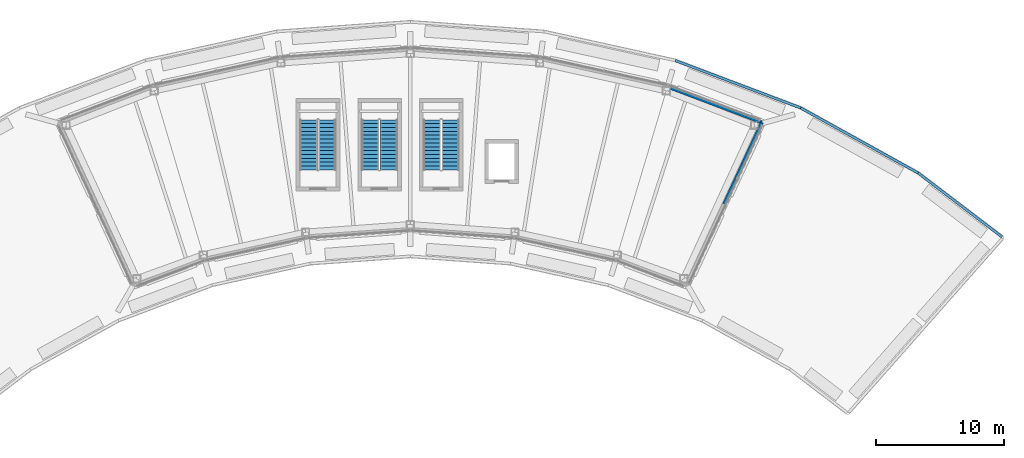
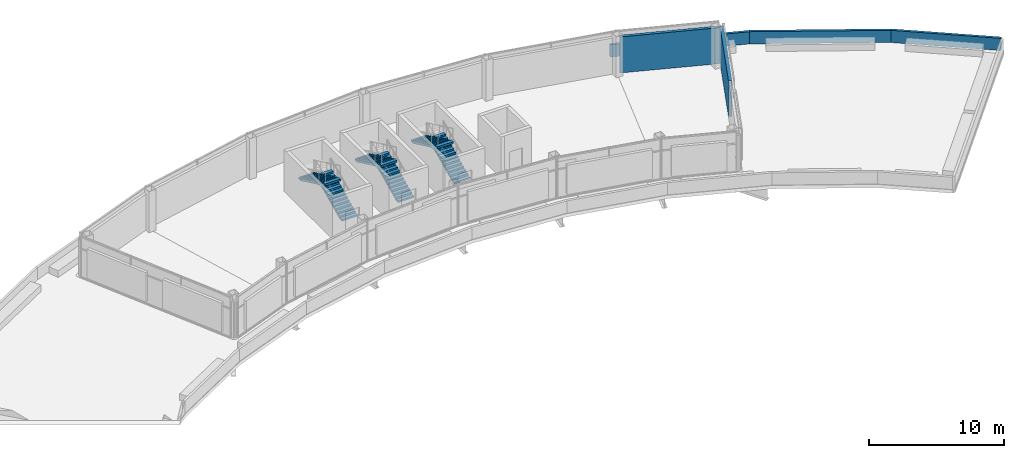
# One storey, part 7 of 9: 6 stair flights, 5 walls, 3 elements without a shape of their own.
"""IFC4 building model written with IfcOpenShell, lengths in metres."""

from ifc_helpers import new_model, si_unit, direction, frame, frame_2d, origin, place, context, subcontext, project, spatial, polyline, rectangle, outline, extrude, material, layer, layer_set, type_object, element, aggregate, save


model = new_model("IFC4")

# Units and contexts
model_context = context("Model", 3, precision=1e-05, world=origin(), true_north=direction((0.0, 1.0)))
body_context = subcontext(model_context, "Body", "Model", "MODEL_VIEW")
ifc_project = project(units=[si_unit("LENGTHUNIT", "METRE"), si_unit("AREAUNIT", "SQUARE_METRE"), si_unit("VOLUMEUNIT", "CUBIC_METRE"), si_unit("PLANEANGLEUNIT", "RADIAN"), si_unit("MASSUNIT", "GRAM", prefix="KILO")], contexts=[model_context])

# Site, building, storey
site_placement = place(None, origin())
site = spatial("IfcSite", under=ifc_project, at=site_placement, CompositionType="ELEMENT")
building_placement = place(site_placement, origin())
building = spatial("IfcBuilding", under=site, at=building_placement, Name="Tuul Gate Civic Tower", CompositionType="ELEMENT")
storey_placement = place(building_placement, frame((0.0, 0.0, 368.10009765625)))
storey = spatial("IfcBuildingStorey", under=building, at=storey_placement, Name="Crown tier 2 lower", CompositionType="ELEMENT", Elevation=368.10009765625)

# Walls
ifc_material_1 = material(Name="Concrete C40/50", Category="concrete")
ifc_layer_1 = layer(ifc_material_1, 0.199951171875)
ifc_layer_set_1 = layer_set([ifc_layer_1], Name="Concrete C40/50")
wall_type_1 = type_object("IfcWallType", Name="Crown parapet", PredefinedType="PARAPET", material=ifc_layer_set_1)
wall_1_placement = place(storey_placement, frame((48.273681640625, -4.466796875, 0.0), z_axis=(0.0, 0.0, 1.0), x_axis=(-0.795630422937, 0.605782328974, 0.0)))
element("IfcWall", 1, at=wall_1_placement, inside=storey, type_object=wall_type_1, Name="Parapet", PredefinedType="PARAPET", context=body_context, shape_type="SweptSolid", body=[
    extrude(rectangle(XDim=8.205810546875, YDim=0.199951171875, at=frame_2d((4.10302734375, 0.0))), origin(), (0.0, 0.0, 1.0), 1.099853515625),
])
wall_2_placement = place(storey_placement, frame((41.744873046875, 0.504150390625, 0.0), z_axis=(0.0, 0.0, 1.0), x_axis=(-0.874626211374, 0.48479788611, 0.0)))
element("IfcWall", 2, at=wall_2_placement, inside=storey, type_object=wall_type_1, Name="Parapet", PredefinedType="PARAPET", context=body_context, shape_type="SweptSolid", body=[
    extrude(rectangle(XDim=10.45263671875, YDim=0.199951171875, at=frame_2d((5.226318359375, 0.0))), origin(), (0.0, 0.0, 1.0), 1.099853515625),
])
wall_3_placement = place(storey_placement, frame((32.602783203125, 5.571533203125, 0.0), z_axis=(0.0, 0.0, 1.0), x_axis=(-0.93536103359, 0.353694411663, 0.0)))
element("IfcWall", 3, at=wall_3_placement, inside=storey, type_object=wall_type_1, Name="Parapet", PredefinedType="PARAPET", context=body_context, shape_type="SweptSolid", body=[
    extrude(rectangle(XDim=10.453369140625, YDim=0.199951171875, at=frame_2d((5.2265625, 0.0))), origin(), (0.0, 0.0, 1.0), 1.099853515625),
])
ifc_material_2 = material(Name="Precast concrete C40/50", Category="concrete")
ifc_layer_2 = layer(ifc_material_2, 0.25)
ifc_layer_set_2 = layer_set([ifc_layer_2], Name="Precast concrete C40/50")
wall_type_2 = type_object("IfcWallType", Name="External wall", PredefinedType="STANDARD", material=ifc_layer_set_2)
wall_4_placement = place(storey_placement, frame((29.57373046875, 4.445556640625, 0.0), z_axis=(0.0, 0.0, 1.0), x_axis=(-0.935373959386, 0.353660226917, 0.0)))
element("IfcWall", 4, at=wall_4_placement, inside=storey, type_object=wall_type_2, Name="External wall", PredefinedType="STANDARD", context=body_context, shape_type="SweptSolid", body=[
    extrude(rectangle(XDim=7.642578125, YDim=0.25, at=frame_2d((3.8212890625, 0.0))), origin(), (0.0, 0.0, 1.0), 3.25),
])
wall_5_placement = place(storey_placement, frame((26.628662109375, -1.911376953125, 0.0), z_axis=(0.0, 0.0, 1.0), x_axis=(0.420363755163, 0.907355670807, 0.0)))
element("IfcWall", 5, at=wall_5_placement, inside=storey, type_object=wall_type_2, Name="External wall", PredefinedType="STANDARD", context=body_context, shape_type="SweptSolid", body=[
    extrude(rectangle(XDim=7.006103515625, YDim=0.25, at=frame_2d((3.5029296875, 0.0))), origin(), (0.0, 0.0, 1.0), 3.25),
])

# Stair, stair flights
ifc_material_3 = material(Name="Concrete C40/50", Category="concrete")
stair_type = type_object("IfcStairType", Name="Exit stair", PredefinedType="HALF_TURN_STAIR", material=ifc_material_3)
stair_1_placement = place(storey_placement, origin())
stair_1 = element("IfcStair", 6, at=stair_1_placement, inside=storey, type_object=stair_type, Name="Crown tier 2 lower ST-5", PredefinedType="HALF_TURN_STAIR")
ifc_material_4 = material(Name="Concrete C40/50", Category="concrete")
stair_flight_type = type_object("IfcStairFlightType", Name="Exit stair flight", PredefinedType="STRAIGHT", material=ifc_material_4)
stair_flight_1_placement = place(storey_placement, frame((-4.27490234375, 0.75, 0.0), z_axis=(0.0, 0.0, 1.0), x_axis=(0.0, 1.0, 0.0)))
stair_flight_1 = element("IfcStairFlight", 7, at=stair_flight_1_placement, type_object=stair_flight_type, Name="ST-5 flight 1", NumberOfRisers=14, NumberOfTreads=13, PredefinedType="STRAIGHT", RiserHeight=0.142857143, TreadLength=0.3, context=body_context, shape_type="SweptSolid", body=[
    extrude(outline(polyline([(0.0, 0.0), (0.0, 0.142822265625), (0.300048828125, 0.142822265625), (0.300048828125, 0.28564453125), (0.60009765625, 0.28564453125), (0.60009765625, 0.428466796875), (0.89990234375, 0.428466796875), (0.89990234375, 0.571533203125), (1.199951171875, 0.571533203125), (1.199951171875, 0.71435546875), (1.5, 0.71435546875), (1.5, 0.857177734375), (1.800048828125, 0.857177734375), (1.800048828125, 1.0), (2.10009765625, 1.0), (2.10009765625, 1.142822265625), (2.39990234375, 1.142822265625), (2.39990234375, 1.28564453125), (2.699951171875, 1.28564453125), (2.699951171875, 1.428466796875), (3.0, 1.428466796875), (3.0, 1.571533203125), (3.300048828125, 1.571533203125), (3.300048828125, 1.71435546875), (3.60009765625, 1.71435546875), (3.60009765625, 1.857177734375), (3.89990234375, 1.857177734375), (3.89990234375, 2.0), (3.89990234375, 1.691162109375), (0.3486328125, 0.0), (0.0, 0.0)])), frame((0.0, 0.675048828125, 0.0), z_axis=(0.0, -1.0, 0.0), x_axis=(1.0, 0.0, 0.0)), (0.0, 0.0, 1.0), 1.35009765625),
])
stair_flight_2_placement = place(storey_placement, frame((-5.72509765625, 4.64990234375, 2.0), z_axis=(0.0, 0.0, 1.0), x_axis=(0.0, -1.0, 0.0)))
stair_flight_2 = element("IfcStairFlight", 8, at=stair_flight_2_placement, type_object=stair_flight_type, Name="ST-5 flight 2", NumberOfRisers=14, NumberOfTreads=13, PredefinedType="STRAIGHT", RiserHeight=0.142857143, TreadLength=0.3, context=body_context, shape_type="SweptSolid", body=[
    extrude(outline(polyline([(0.0, 0.0), (0.0, 0.142822265625), (0.300048828125, 0.142822265625), (0.300048828125, 0.28564453125), (0.60009765625, 0.28564453125), (0.60009765625, 0.428466796875), (0.89990234375, 0.428466796875), (0.89990234375, 0.571533203125), (1.199951171875, 0.571533203125), (1.199951171875, 0.71435546875), (1.5, 0.71435546875), (1.5, 0.857177734375), (1.800048828125, 0.857177734375), (1.800048828125, 1.0), (2.10009765625, 1.0), (2.10009765625, 1.142822265625), (2.39990234375, 1.142822265625), (2.39990234375, 1.28564453125), (2.699951171875, 1.28564453125), (2.699951171875, 1.428466796875), (3.0, 1.428466796875), (3.0, 1.571533203125), (3.300048828125, 1.571533203125), (3.300048828125, 1.71435546875), (3.60009765625, 1.71435546875), (3.60009765625, 1.857177734375), (3.89990234375, 1.857177734375), (3.89990234375, 2.0), (3.89990234375, 1.691162109375), (0.3486328125, 0.0), (0.0, 0.0)])), frame((0.0, 0.675048828125, 0.0), z_axis=(0.0, -1.0, 0.0), x_axis=(1.0, 0.0, 0.0)), (0.0, 0.0, 1.0), 1.35009765625),
])
aggregate(stair_1, [stair_flight_1, stair_flight_2])

stair_2_placement = place(storey_placement, origin())
stair_2 = element("IfcStair", 9, at=stair_2_placement, inside=storey, type_object=stair_type, Name="Crown tier 2 lower ST-6", PredefinedType="HALF_TURN_STAIR")
stair_flight_3_placement = place(storey_placement, frame((0.52490234375, 0.75, 0.0), z_axis=(0.0, 0.0, 1.0), x_axis=(0.0, 1.0, 0.0)))
stair_flight_3 = element("IfcStairFlight", 10, at=stair_flight_3_placement, type_object=stair_flight_type, Name="ST-6 flight 1", NumberOfRisers=14, NumberOfTreads=13, PredefinedType="STRAIGHT", RiserHeight=0.142857143, TreadLength=0.3, context=body_context, shape_type="SweptSolid", body=[
    extrude(outline(polyline([(0.0, 0.0), (0.0, 0.142822265625), (0.300048828125, 0.142822265625), (0.300048828125, 0.28564453125), (0.60009765625, 0.28564453125), (0.60009765625, 0.428466796875), (0.89990234375, 0.428466796875), (0.89990234375, 0.571533203125), (1.199951171875, 0.571533203125), (1.199951171875, 0.71435546875), (1.5, 0.71435546875), (1.5, 0.857177734375), (1.800048828125, 0.857177734375), (1.800048828125, 1.0), (2.10009765625, 1.0), (2.10009765625, 1.142822265625), (2.39990234375, 1.142822265625), (2.39990234375, 1.28564453125), (2.699951171875, 1.28564453125), (2.699951171875, 1.428466796875), (3.0, 1.428466796875), (3.0, 1.571533203125), (3.300048828125, 1.571533203125), (3.300048828125, 1.71435546875), (3.60009765625, 1.71435546875), (3.60009765625, 1.857177734375), (3.89990234375, 1.857177734375), (3.89990234375, 2.0), (3.89990234375, 1.691162109375), (0.3486328125, 0.0), (0.0, 0.0)])), frame((0.0, 0.675048828125, 0.0), z_axis=(0.0, -1.0, 0.0), x_axis=(1.0, 0.0, 0.0)), (0.0, 0.0, 1.0), 1.35009765625),
])
stair_flight_4_placement = place(storey_placement, frame((-0.925048828125, 4.64990234375, 2.0), z_axis=(0.0, 0.0, 1.0), x_axis=(0.0, -1.0, 0.0)))
stair_flight_4 = element("IfcStairFlight", 11, at=stair_flight_4_placement, type_object=stair_flight_type, Name="ST-6 flight 2", NumberOfRisers=14, NumberOfTreads=13, PredefinedType="STRAIGHT", RiserHeight=0.142857143, TreadLength=0.3, context=body_context, shape_type="SweptSolid", body=[
    extrude(outline(polyline([(0.0, 0.0), (0.0, 0.142822265625), (0.300048828125, 0.142822265625), (0.300048828125, 0.28564453125), (0.60009765625, 0.28564453125), (0.60009765625, 0.428466796875), (0.89990234375, 0.428466796875), (0.89990234375, 0.571533203125), (1.199951171875, 0.571533203125), (1.199951171875, 0.71435546875), (1.5, 0.71435546875), (1.5, 0.857177734375), (1.800048828125, 0.857177734375), (1.800048828125, 1.0), (2.10009765625, 1.0), (2.10009765625, 1.142822265625), (2.39990234375, 1.142822265625), (2.39990234375, 1.28564453125), (2.699951171875, 1.28564453125), (2.699951171875, 1.428466796875), (3.0, 1.428466796875), (3.0, 1.571533203125), (3.300048828125, 1.571533203125), (3.300048828125, 1.71435546875), (3.60009765625, 1.71435546875), (3.60009765625, 1.857177734375), (3.89990234375, 1.857177734375), (3.89990234375, 2.0), (3.89990234375, 1.691162109375), (0.3486328125, 0.0), (0.0, 0.0)])), frame((0.0, 0.675048828125, 0.0), z_axis=(0.0, -1.0, 0.0), x_axis=(1.0, 0.0, 0.0)), (0.0, 0.0, 1.0), 1.35009765625),
])
aggregate(stair_2, [stair_flight_3, stair_flight_4])

stair_3_placement = place(storey_placement, origin())
stair_3 = element("IfcStair", 12, at=stair_3_placement, inside=storey, type_object=stair_type, Name="Crown tier 2 lower ST-7", PredefinedType="HALF_TURN_STAIR")
stair_flight_5_placement = place(storey_placement, frame((5.324951171875, 0.75, 0.0), z_axis=(0.0, 0.0, 1.0), x_axis=(0.0, 1.0, 0.0)))
stair_flight_5 = element("IfcStairFlight", 13, at=stair_flight_5_placement, type_object=stair_flight_type, Name="ST-7 flight 1", NumberOfRisers=14, NumberOfTreads=13, PredefinedType="STRAIGHT", RiserHeight=0.142857143, TreadLength=0.3, context=body_context, shape_type="SweptSolid", body=[
    extrude(outline(polyline([(0.0, 0.0), (0.0, 0.142822265625), (0.300048828125, 0.142822265625), (0.300048828125, 0.28564453125), (0.60009765625, 0.28564453125), (0.60009765625, 0.428466796875), (0.89990234375, 0.428466796875), (0.89990234375, 0.571533203125), (1.199951171875, 0.571533203125), (1.199951171875, 0.71435546875), (1.5, 0.71435546875), (1.5, 0.857177734375), (1.800048828125, 0.857177734375), (1.800048828125, 1.0), (2.10009765625, 1.0), (2.10009765625, 1.142822265625), (2.39990234375, 1.142822265625), (2.39990234375, 1.28564453125), (2.699951171875, 1.28564453125), (2.699951171875, 1.428466796875), (3.0, 1.428466796875), (3.0, 1.571533203125), (3.300048828125, 1.571533203125), (3.300048828125, 1.71435546875), (3.60009765625, 1.71435546875), (3.60009765625, 1.857177734375), (3.89990234375, 1.857177734375), (3.89990234375, 2.0), (3.89990234375, 1.691162109375), (0.3486328125, 0.0), (0.0, 0.0)])), frame((0.0, 0.675048828125, 0.0), z_axis=(0.0, -1.0, 0.0), x_axis=(1.0, 0.0, 0.0)), (0.0, 0.0, 1.0), 1.35009765625),
])
stair_flight_6_placement = place(storey_placement, frame((3.875, 4.64990234375, 2.0), z_axis=(0.0, 0.0, 1.0), x_axis=(0.0, -1.0, 0.0)))
stair_flight_6 = element("IfcStairFlight", 14, at=stair_flight_6_placement, type_object=stair_flight_type, Name="ST-7 flight 2", NumberOfRisers=14, NumberOfTreads=13, PredefinedType="STRAIGHT", RiserHeight=0.142857143, TreadLength=0.3, context=body_context, shape_type="SweptSolid", body=[
    extrude(outline(polyline([(0.0, 0.0), (0.0, 0.142822265625), (0.300048828125, 0.142822265625), (0.300048828125, 0.28564453125), (0.60009765625, 0.28564453125), (0.60009765625, 0.428466796875), (0.89990234375, 0.428466796875), (0.89990234375, 0.571533203125), (1.199951171875, 0.571533203125), (1.199951171875, 0.71435546875), (1.5, 0.71435546875), (1.5, 0.857177734375), (1.800048828125, 0.857177734375), (1.800048828125, 1.0), (2.10009765625, 1.0), (2.10009765625, 1.142822265625), (2.39990234375, 1.142822265625), (2.39990234375, 1.28564453125), (2.699951171875, 1.28564453125), (2.699951171875, 1.428466796875), (3.0, 1.428466796875), (3.0, 1.571533203125), (3.300048828125, 1.571533203125), (3.300048828125, 1.71435546875), (3.60009765625, 1.71435546875), (3.60009765625, 1.857177734375), (3.89990234375, 1.857177734375), (3.89990234375, 2.0), (3.89990234375, 1.691162109375), (0.3486328125, 0.0), (0.0, 0.0)])), frame((0.0, 0.675048828125, 0.0), z_axis=(0.0, -1.0, 0.0), x_axis=(1.0, 0.0, 0.0)), (0.0, 0.0, 1.0), 1.35009765625),
])
aggregate(stair_3, [stair_flight_5, stair_flight_6])

save(model, "model.ifc")
